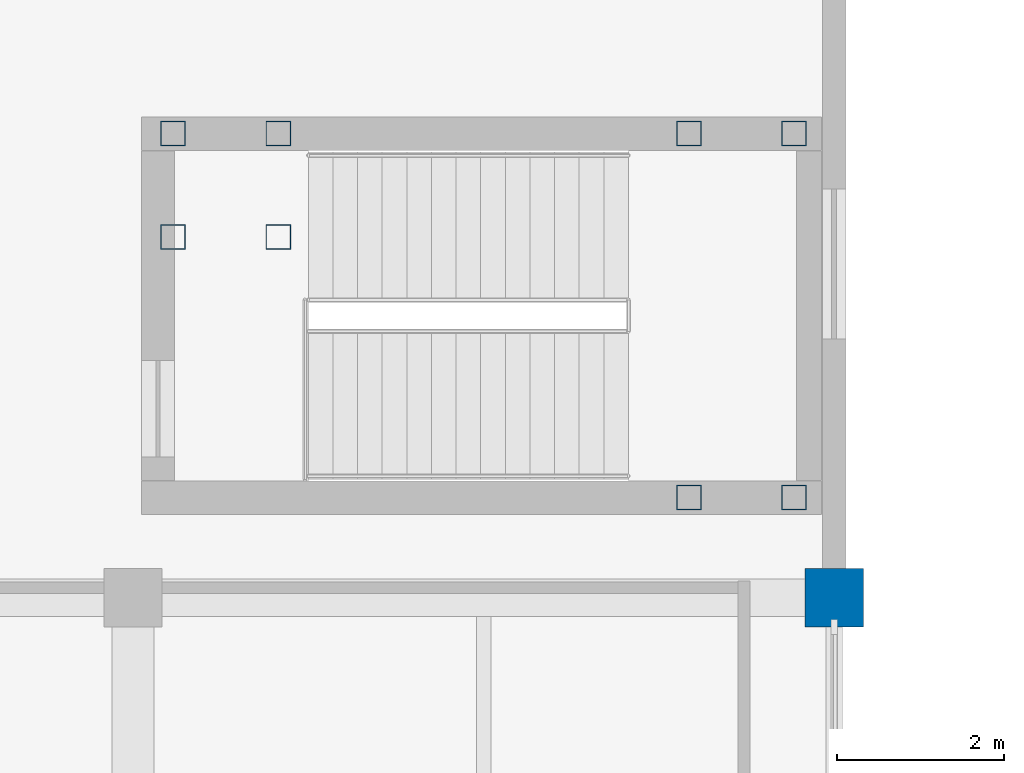
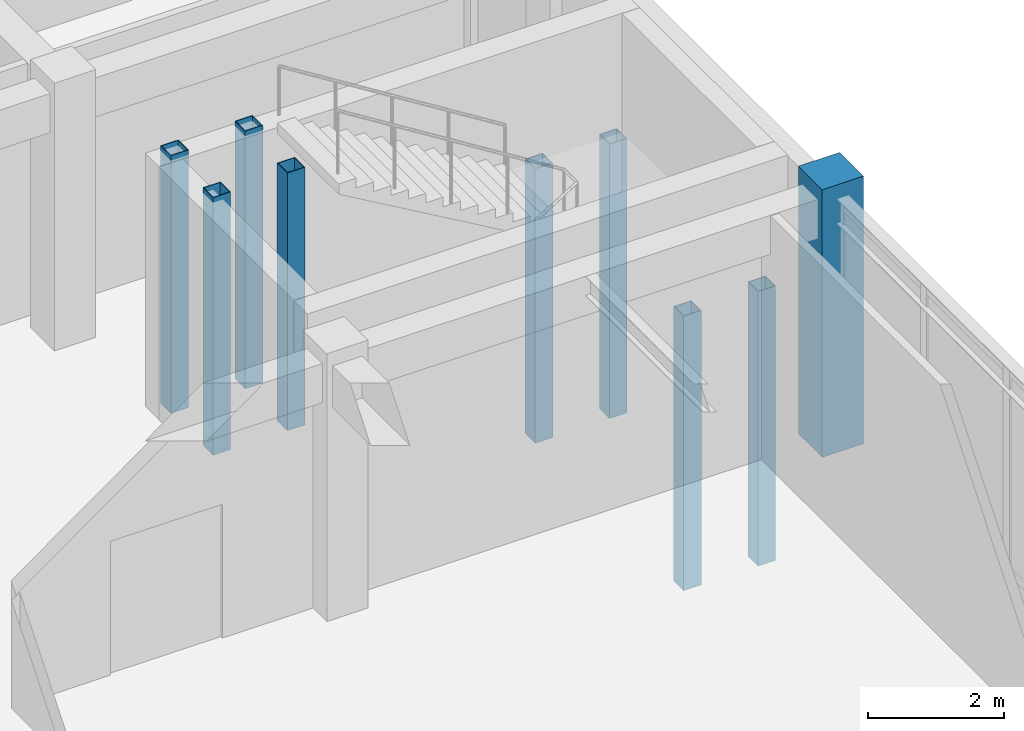
# One storey, part 5 of 76: 9 columns.
"""IFC4 building model written with IfcOpenShell, lengths in metres."""

from ifc_helpers import new_model, si_unit, direction, frame, origin, origin_2d, place, context, subcontext, project, spatial, rectangle, hollow_rectangle, extrude, material, material_profile, profile_set, type_object, element, save


model = new_model("IFC4")

# Units and contexts
model_context = context("Model", 3, precision=1e-05, world=origin(), true_north=direction((0.0, 1.0)))
body_context = subcontext(model_context, "Body", "Model", "MODEL_VIEW")
ifc_project = project(units=[si_unit("LENGTHUNIT", "METRE"), si_unit("AREAUNIT", "SQUARE_METRE"), si_unit("VOLUMEUNIT", "CUBIC_METRE"), si_unit("PLANEANGLEUNIT", "RADIAN"), si_unit("MASSUNIT", "GRAM", prefix="KILO")], contexts=[model_context])

# Site, building, storey
site_placement = place(None, origin())
site = spatial("IfcSite", under=ifc_project, at=site_placement, CompositionType="ELEMENT")
building_placement = place(site_placement, origin())
building = spatial("IfcBuilding", under=site, at=building_placement, Name="Naruveol Harbour Congress Hotel", CompositionType="ELEMENT")
storey_placement = place(building_placement, frame((0.0, 0.0, 11.39990234375)))
storey = spatial("IfcBuildingStorey", under=building, at=storey_placement, Name="L02", CompositionType="ELEMENT", Elevation=11.39990234375)

# Columns
ifc_material_1 = material(Name="Concrete C40/50", Category="concrete")
ifc_material_profile_1 = material_profile(ifc_material_1, rectangle(XDim=0.699951171875, YDim=0.699951171875, at=origin_2d()), Name="RC-700x700")
ifc_profile_set_1 = profile_set([ifc_material_profile_1], Name="Concrete C40/50")
column_type_1 = type_object("IfcColumnType", Name="RC HOTEL COLUMN 700X700", PredefinedType="COLUMN", material=ifc_profile_set_1)
column_placement = place(storey_placement, frame((126.0, 56.0, 0.0), z_axis=(0.0, 0.0, 1.0), x_axis=(1.0, 0.0, 0.0)))
element("IfcColumn", 1, at=column_placement, inside=storey, type_object=column_type_1, Name="Column C-700 L02 (126.0,56.0)", PredefinedType="COLUMN", context=body_context, shape_type="SweptSolid", body=[
    extrude(rectangle(XDim=0.699951171875, YDim=0.699951171875, at=origin_2d()), origin(), (0.0, 0.0, 1.0), 4.800048828125),
])
ifc_material_2 = material(Name="Steel SN490", Category="steel")
ifc_material_profile_2 = material_profile(ifc_material_2, hollow_rectangle(XDim=0.300048828125, YDim=0.300048828125, WallThickness=0.011962890625, at=origin_2d()), Name="SHS-300x300x12")
ifc_profile_set_2 = profile_set([ifc_material_profile_2], Name="Steel SN490")
column_type_2 = type_object("IfcColumnType", Name="STEEL COLONNADE POST SHS300", PredefinedType="COLUMN", material=ifc_profile_set_2)
for number, where, z_axis, x_axis, name in (
    (2, (118.080078125, 60.320068359375, 0.0), (0.0, 0.0, 1.0), (1.0, 0.0, 0.0), "Stair landing support post ST9W #428"),
    (3, (118.080078125, 61.56005859375, 0.0), (0.0, 0.0, 1.0), (1.0, 0.0, 0.0), "Stair landing support post ST9W #432"),
    (4, (119.340087890625, 60.320068359375, 0.0), (0.0, 0.0, 1.0), (1.0, 0.0, 0.0), "Stair landing support post ST9W #436"),
    (5, (119.340087890625, 61.56005859375, 0.0), (0.0, 0.0, 1.0), (1.0, 0.0, 0.0), "Stair landing support post ST9W #440"),
):
    element("IfcColumn", number, at=place(storey_placement, frame(where, z_axis=z_axis, x_axis=x_axis)), inside=storey, type_object=column_type_2, Name=name, PredefinedType="COLUMN", context=body_context, shape_type="SweptSolid", body=[
        extrude(hollow_rectangle(XDim=0.300048828125, YDim=0.300048828125, WallThickness=0.011962890625, at=origin_2d()), origin(), (0.0, 0.0, 1.0), 4.6201171875),
    ])
for number, where, z_axis, x_axis, name in (
    (6, (124.260009765625, 57.199951171875, -2.699951171875), (0.0, 0.0, 1.0), (1.0, 0.0, 0.0), "Stair landing support post ST9E #444"),
    (7, (124.260009765625, 61.56005859375, -2.699951171875), (0.0, 0.0, 1.0), (1.0, 0.0, 0.0), "Stair landing support post ST9E #448"),
    (8, (125.52001953125, 57.199951171875, -2.699951171875), (0.0, 0.0, 1.0), (1.0, 0.0, 0.0), "Stair landing support post ST9E #452"),
    (9, (125.52001953125, 61.56005859375, -2.699951171875), (0.0, 0.0, 1.0), (1.0, 0.0, 0.0), "Stair landing support post ST9E #456"),
):
    element("IfcColumn", number, at=place(storey_placement, frame(where, z_axis=z_axis, x_axis=x_axis)), inside=storey, type_object=column_type_2, Name=name, PredefinedType="COLUMN", context=body_context, shape_type="SweptSolid", body=[
        extrude(hollow_rectangle(XDim=0.300048828125, YDim=0.300048828125, WallThickness=0.011962890625, at=origin_2d()), origin(), (0.0, 0.0, 1.0), 4.920166015625),
    ])

save(model, "model.ifc")
